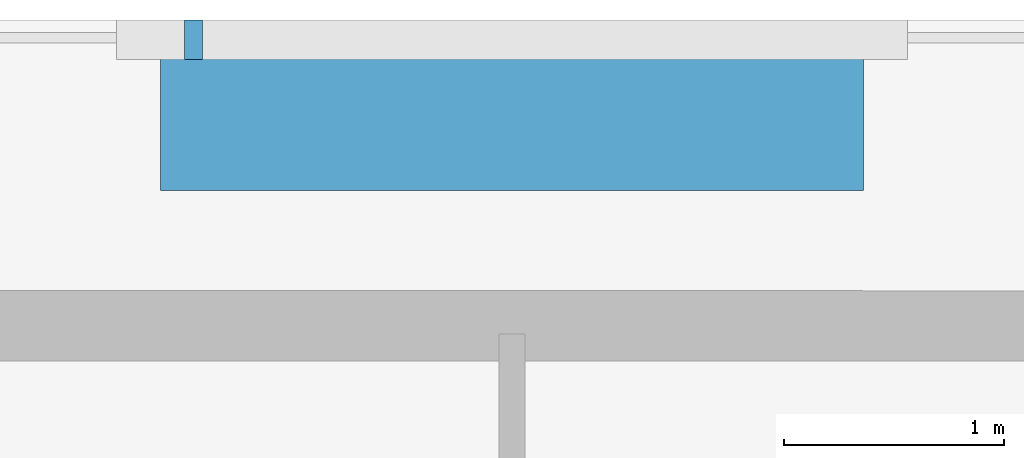
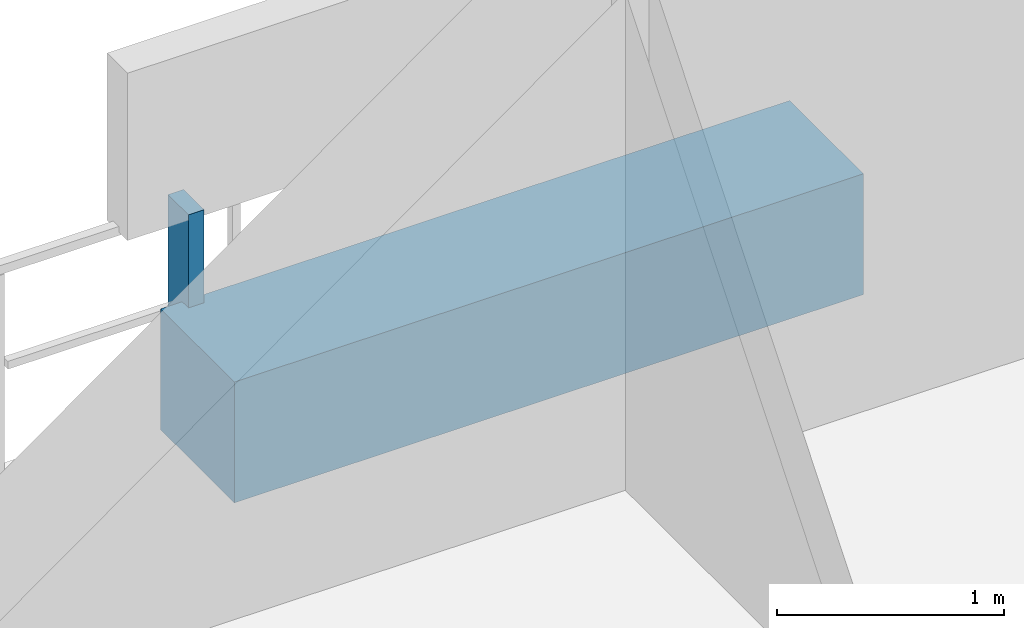
# One storey, part 26 of 30: 2 discrete accessories.
"""IFC4 building model written with IfcOpenShell, lengths in metres."""

from ifc_helpers import new_model, si_unit, direction, frame, origin, origin_2d, place, context, subcontext, project, spatial, rectangle, extrude, material, type_object, element, save


model = new_model("IFC4")

# Units and contexts
model_context = context("Model", 3, precision=1e-05, world=origin(), true_north=direction((0.0, 1.0)))
body_context = subcontext(model_context, "Body", "Model", "MODEL_VIEW")
ifc_project = project(units=[si_unit("LENGTHUNIT", "METRE"), si_unit("AREAUNIT", "SQUARE_METRE"), si_unit("VOLUMEUNIT", "CUBIC_METRE"), si_unit("PLANEANGLEUNIT", "RADIAN"), si_unit("MASSUNIT", "GRAM", prefix="KILO")], contexts=[model_context])

# Site, building, storey
site_placement = place(None, origin())
site = spatial("IfcSite", under=ifc_project, at=site_placement, CompositionType="ELEMENT")
building_placement = place(site_placement, origin())
building = spatial("IfcBuilding", under=site, at=building_placement, Name="Thornwick Lancets Civic Towers", CompositionType="ELEMENT")
storey_placement = place(building_placement, frame((0.0, 0.0, 80.10009765625)))
storey = spatial("IfcBuildingStorey", under=building, at=storey_placement, Name="L20", CompositionType="ELEMENT", Elevation=80.10009765625)

# Discrete accessories
ifc_material_1 = material(Name="Planted terracotta greenery planter", Category="masonry")
discrete_accessory_type_1 = type_object("IfcDiscreteAccessoryType", Name="ACC_PLANTER_BOX", PredefinedType="USERDEFINED", material=ifc_material_1)
discrete_accessory_1_placement = place(storey_placement, frame((88.5, 51.89990234375, 0.0), z_axis=(0.0, 0.0, 1.0), x_axis=(1.0, 0.0, 0.0)))
element("IfcDiscreteAccessory", 1, at=discrete_accessory_1_placement, inside=storey, type_object=discrete_accessory_type_1, Name="L20 Tower B Balcony Greenery Planter N", ObjectType="PLANTER", PredefinedType="USERDEFINED", context=body_context, shape_type="SweptSolid", body=[
    extrude(rectangle(XDim=3.199951171875, YDim=0.64990234375, at=origin_2d()), origin(), (0.0, 0.0, 1.0), 0.64990234375),
])
ifc_material_2 = material(Name="Stainless steel S355", Category="steel")
discrete_accessory_type_2 = type_object("IfcDiscreteAccessoryType", Name="ACC_SCREEN_BRACKET", PredefinedType="BRACKET", material=ifc_material_2)
discrete_accessory_2_placement = place(storey_placement, frame((87.050048828125, 52.260009765625, 0.0), z_axis=(0.0, 0.0, 1.0), x_axis=(1.0, 0.0, 0.0)))
element("IfcDiscreteAccessory", 2, at=discrete_accessory_2_placement, inside=storey, type_object=discrete_accessory_type_2, Name="L20 Tower B Balcony Screen Stanchion Bracket N-1", PredefinedType="BRACKET", context=body_context, shape_type="SweptSolid", body=[
    extrude(rectangle(XDim=0.080078125, YDim=0.179931640625, at=origin_2d()), origin(), (0.0, 0.0, 1.0), 1.14990234375),
])

save(model, "model.ifc")
